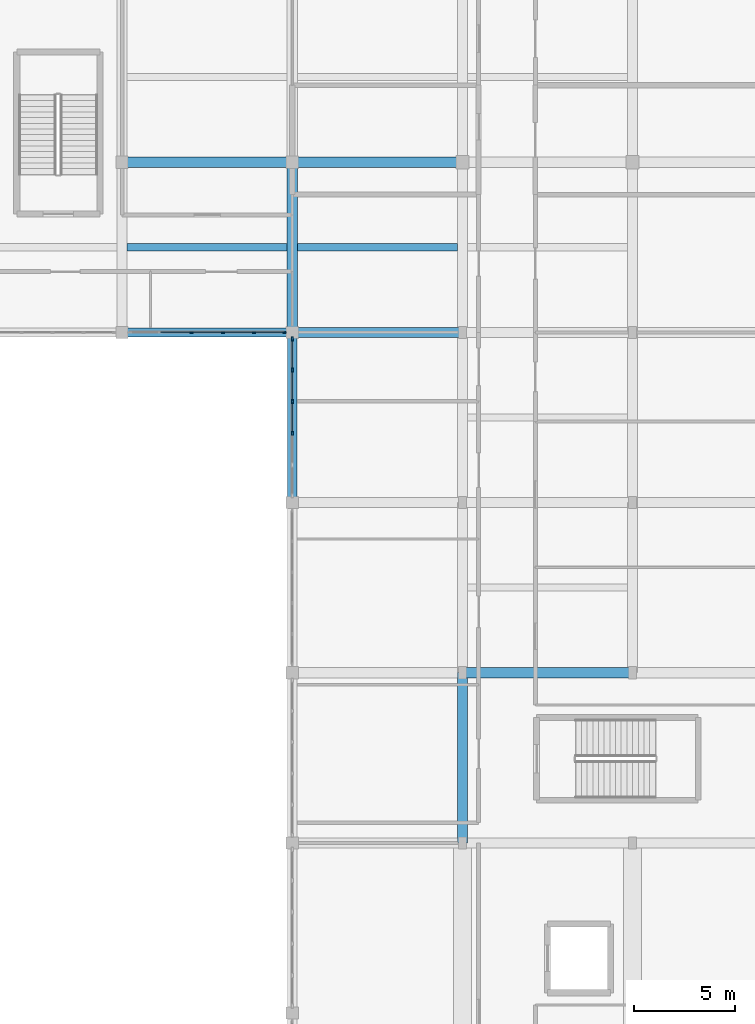
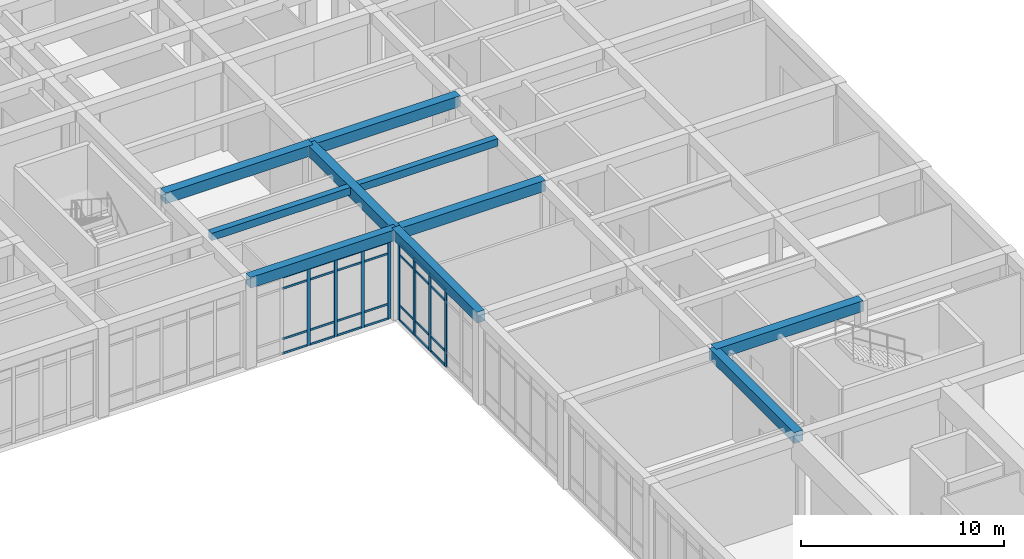
# One storey, part 37 of 89: 36 members, 10 beams, 2 elements without a shape of their own.
"""IFC4 building model written with IfcOpenShell, lengths in metres."""

import ifcopenshell
import ifcopenshell.guid

model = None  # the IFC model being written
_history = None  # IfcOwnerHistory: only IFC2X3 demands one
_inside = {}  # id of a spatial element -> (the spatial element, [elements in it])
_under = {}  # id of a project, library or spatial element -> (it, [spatial elements below it])
_declared = {}  # id of a project -> (the project, [libraries it declares])
_typed = {}  # id of a type object -> (the type object, [elements of that type])
_made_of = {}  # id of a material, layer set ... -> (it, [elements and type objects made of it])


def new_model(schema):
    """Start an empty IFC model of exactly this schema.

    Asked for "IFC4X3", IfcOpenShell would pick the latest addendum, in which some entities
    have other attributes; the version numbers below select the first issue.
    IFC2X3 requires an IfcOwnerHistory on every rooted entity: one is made here for all.
    """
    global model, _history
    if schema == "IFC4X3":
        model = ifcopenshell.file(schema_version=(4, 3, 0, 0))
    else:
        model = ifcopenshell.file(schema=schema)
    _inside.clear()
    _under.clear()
    _declared.clear()
    _typed.clear()
    _made_of.clear()
    _history = None
    if model.schema == "IFC2X3":
        org = make("IfcOrganization", Name="unknown")
        user = make(
            "IfcPersonAndOrganization",
            ThePerson=make("IfcPerson", FamilyName="unknown"),
            TheOrganization=org,
        )
        app = make(
            "IfcApplication",
            ApplicationDeveloper=org,
            Version="unknown",
            ApplicationFullName="unknown",
            ApplicationIdentifier="unknown",
        )
        _history = make(
            "IfcOwnerHistory",
            OwningUser=user,
            OwningApplication=app,
            ChangeAction="ADDED",
            CreationDate=0,
        )
    return model


def make(cls, **values):
    """One entity of the class cls with the attributes given. An attribute that is None is left unset."""
    return model.create_entity(
        cls, **{name: value for name, value in values.items() if value is not None}
    )


def rooted(cls, **values):
    """An entity with a GlobalId (a new one), such as an element, a storey or a relation."""
    return make(cls, GlobalId=ifcopenshell.guid.new(), OwnerHistory=_history, **values)


def si_unit(unit_type, name, prefix=None):
    """IfcSIUnit, for example si_unit("LENGTHUNIT", "METRE", prefix="MILLI")."""
    return make("IfcSIUnit", UnitType=unit_type, Prefix=prefix, Name=name)


def assignment(units):
    """IfcUnitAssignment: the units of a project."""
    return None if units is None else make("IfcUnitAssignment", Units=units)


def point(xyz):
    """IfcCartesianPoint."""
    return None if xyz is None else make("IfcCartesianPoint", Coordinates=xyz)


def direction(xyz):
    """IfcDirection."""
    return None if xyz is None else make("IfcDirection", DirectionRatios=xyz)


def frame(location, z_axis=None, x_axis=None):
    """IfcAxis2Placement3D, a coordinate frame: its origin and axes. An axis left out is left unset."""
    return make(
        "IfcAxis2Placement3D",
        Location=point(location),
        Axis=direction(z_axis),
        RefDirection=direction(x_axis),
    )


def frame_2d(location, x_axis=None):
    """IfcAxis2Placement2D, a coordinate frame in the plane: its origin and x axis."""
    return make(
        "IfcAxis2Placement2D", Location=point(location), RefDirection=direction(x_axis)
    )


def origin():
    """The frame at (0, 0, 0) with its axes left unset."""
    return frame((0.0, 0.0, 0.0))


def origin_2d():
    """The frame at (0, 0) in the plane with its x axis left unset."""
    return frame_2d((0.0, 0.0))


def place(relative_to, where):
    """IfcLocalPlacement: puts the frame where relative to a parent placement (None: the world)."""
    return make(
        "IfcLocalPlacement", PlacementRelTo=relative_to, RelativePlacement=where
    )


def context(
    kind, dimensions, precision=None, world=None, true_north=None, identifier=None
):
    """IfcGeometricRepresentationContext, for example the 3D "Model" context."""
    return make(
        "IfcGeometricRepresentationContext",
        ContextIdentifier=identifier,
        ContextType=kind,
        CoordinateSpaceDimension=dimensions,
        Precision=precision,
        WorldCoordinateSystem=world,
        TrueNorth=true_north,
    )


def subcontext(parent, identifier, kind, view, scale=None):
    """IfcGeometricRepresentationSubContext, for example "Body" below "Model"."""
    return make(
        "IfcGeometricRepresentationSubContext",
        ContextIdentifier=identifier,
        ContextType=kind,
        ParentContext=parent,
        TargetScale=scale,
        TargetView=view,
    )


def project(units=None, contexts=None):
    """IfcProject with its units and contexts."""
    return rooted(
        "IfcProject",
        Name="project",
        RepresentationContexts=contexts,
        UnitsInContext=assignment(units),
    )


def spatial(cls, under=None, at=None, **own):
    """A site, building, storey or space (cls), placed at a placement, below another one or the project."""
    s = rooted(cls, ObjectPlacement=at, **own)
    if under is not None:
        _under.setdefault(under.id(), (under, []))[1].append(s)
    return s


def profile(cls, at=None, kind="AREA", **sizes):
    """A parametric profile (cls). Its sizes go by their IFC names, for example OverallWidth=200.0."""
    return make(cls, ProfileType=kind, Position=at, **sizes)


def rectangle(**sizes):
    """IfcRectangleProfileDef."""
    return profile("IfcRectangleProfileDef", **sizes)


def extrude(swept, where, along, depth):
    """IfcExtrudedAreaSolid: the profile swept, set in the frame where, extruded along a direction by depth."""
    return make(
        "IfcExtrudedAreaSolid",
        SweptArea=swept,
        Position=where,
        ExtrudedDirection=direction(along),
        Depth=depth,
    )


def shape(context_of_items, identifier, shape_type, items):
    """IfcShapeRepresentation: the items that make up one representation, for example the "Body"."""
    return make(
        "IfcShapeRepresentation",
        ContextOfItems=context_of_items,
        RepresentationIdentifier=identifier,
        RepresentationType=shape_type,
        Items=items,
    )


def material(Name=None, Category=None):
    """IfcMaterial."""
    return make("IfcMaterial", Name=Name, Category=Category)


def material_profile(
    of_material, cross_section, Name=None, Category=None, Priority=None
):
    """IfcMaterialProfile: a cross section and its material."""
    return make(
        "IfcMaterialProfile",
        Name=Name,
        Material=of_material,
        Profile=cross_section,
        Priority=Priority,
        Category=Category,
    )


def profile_set(profiles, Name=None, composite=None):
    """IfcMaterialProfileSet."""
    return make(
        "IfcMaterialProfileSet",
        Name=Name,
        MaterialProfiles=profiles,
        CompositeProfile=composite,
    )


def made_of(thing, what):
    """Note that an element or type object is made of a material, layer set ...; save() writes the relation."""
    if what is not None:
        _made_of.setdefault(what.id(), (what, []))[1].append(thing)
    return thing


def type_object(cls, material=None, **own):
    """A type object (cls), such as IfcWallType, which elements share."""
    return made_of(rooted(cls, **own), material)


def element(
    cls,
    number,
    at=None,
    inside=None,
    cuts=None,
    type_object=None,
    material=None,
    context=None,
    identifier="Body",
    shape_type=None,
    held_by="IfcProductDefinitionShape",
    body=None,
    shapes=None,
    **own,
):
    """One element of the class cls, such as IfcWall. Its Tag is "e" and its number.

    at: its placement. inside: the storey or other place that contains it. cuts: it is an
    opening in that element (IfcRelVoidsElement). A single representation is given by context,
    identifier, shape_type and body (its items); several are given by shapes. held_by: the class
    of the entity that holds the representations. save() writes the other relations.
    """
    e = rooted(cls, Tag="e%d" % number, ObjectPlacement=at, **own)
    if body is not None:
        shapes = [shape(context, identifier, shape_type, body)]
    if shapes is not None:
        e.Representation = make(held_by, Representations=shapes)
    if inside is not None:
        _inside.setdefault(inside.id(), (inside, []))[1].append(e)
    if cuts is not None:
        rooted(
            "IfcRelVoidsElement", RelatingBuildingElement=cuts, RelatedOpeningElement=e
        )
    if type_object is not None:
        _typed.setdefault(type_object.id(), (type_object, []))[1].append(e)
    return made_of(e, material)


def aggregate(whole, parts):
    """IfcRelAggregates: a whole, such as a stair, and the parts it consists of."""
    return rooted("IfcRelAggregates", RelatingObject=whole, RelatedObjects=parts)


def save(model, path):
    """Write the relations noted so far, then the file.

    IfcRelAggregates (storeys below a building ...), IfcRelContainedInSpatialStructure (elements
    in a storey), IfcRelDefinesByType, IfcRelAssociatesMaterial and IfcRelDeclares: one each for
    every whole, place, type object, material and project.
    """
    for whole, parts in _under.values():
        aggregate(whole, parts)
    for where, things in _inside.values():
        rooted(
            "IfcRelContainedInSpatialStructure",
            RelatedElements=things,
            RelatingStructure=where,
        )
    for kind, things in _typed.values():
        rooted("IfcRelDefinesByType", RelatedObjects=things, RelatingType=kind)
    for what, things in _made_of.values():
        rooted("IfcRelAssociatesMaterial", RelatedObjects=things, RelatingMaterial=what)
    for by, libraries in _declared.values():
        rooted("IfcRelDeclares", RelatingContext=by, RelatedDefinitions=libraries)
    model.write(path)


model = new_model("IFC4")

# Units and contexts
model_context = context("Model", 3, precision=1e-05, world=origin(), true_north=direction((0.0, 1.0)))
body_context = subcontext(model_context, "Body", "Model", "MODEL_VIEW")
ifc_project = project(units=[si_unit("LENGTHUNIT", "METRE"), si_unit("AREAUNIT", "SQUARE_METRE"), si_unit("VOLUMEUNIT", "CUBIC_METRE"), si_unit("PLANEANGLEUNIT", "RADIAN"), si_unit("MASSUNIT", "GRAM", prefix="KILO")], contexts=[model_context])

# Site, building, storey
site_placement = place(None, origin())
site = spatial("IfcSite", under=ifc_project, at=site_placement, CompositionType="ELEMENT")
building_placement = place(site_placement, origin())
building = spatial("IfcBuilding", under=site, at=building_placement, Name="Varncliffe General Hospital", CompositionType="ELEMENT")
storey_placement = place(building_placement, frame((0.0, 0.0, 10.800048828125)))
storey = spatial("IfcBuildingStorey", under=building, at=storey_placement, Name="L02", CompositionType="ELEMENT", Elevation=10.800048828125)

# Beams
ifc_material_1 = material(Name="Concrete C35/45 (CSA A23.1 35 MPa)", Category="concrete")
ifc_material_profile_1 = material_profile(ifc_material_1, rectangle(XDim=0.5, YDim=0.64990234375, at=origin_2d()), Name="RC 500x650")
ifc_profile_set_1 = profile_set([ifc_material_profile_1], Name="Concrete C35/45 (CSA A23.1 35 MPa)")
beam_type_1 = type_object("IfcBeamType", Name="Beam B29 (Int RC 500x650)", PredefinedType="BEAM", material=ifc_profile_set_1)
beam_1_placement = place(storey_placement, frame((159.60009765625, 66.0, 5.074951171875), z_axis=(1.0, 0.0, 0.0), x_axis=(0.0, 1.0, 0.0)))
element("IfcBeam", 1, at=beam_1_placement, inside=storey, type_object=beam_type_1, Name="L02 Primary Beam B29-78", PredefinedType="BEAM", context=body_context, shape_type="SweptSolid", body=[
    extrude(rectangle(XDim=0.5, YDim=0.64990234375, at=origin_2d()), origin(), (0.0, 0.0, 1.0), 8.39990234375),
])
beam_2_placement = place(storey_placement, frame((151.199951171875, 82.800048828125, 5.074951171875), z_axis=(1.0, 0.0, 0.0), x_axis=(0.0, 1.0, 0.0)))
element("IfcBeam", 2, at=beam_2_placement, inside=storey, type_object=beam_type_1, Name="L02 Primary Beam B29-111", PredefinedType="BEAM", context=body_context, shape_type="SweptSolid", body=[
    extrude(rectangle(XDim=0.5, YDim=0.64990234375, at=origin_2d()), origin(), (0.0, 0.0, 1.0), 8.400146484375),
])
beam_3_placement = place(storey_placement, frame((142.800048828125, 91.199951171875, 5.074951171875), z_axis=(1.0, 0.0, 0.0), x_axis=(0.0, 1.0, 0.0)))
element("IfcBeam", 3, at=beam_3_placement, inside=storey, type_object=beam_type_1, Name="L02 Primary Beam B29-127", PredefinedType="BEAM", context=body_context, shape_type="SweptSolid", body=[
    extrude(rectangle(XDim=0.5, YDim=0.64990234375, at=origin_2d()), origin(), (0.0, 0.0, 1.0), 8.39990234375),
])
beam_4_placement = place(storey_placement, frame((151.199951171875, 91.199951171875, 5.074951171875), z_axis=(1.0, 0.0, 0.0), x_axis=(0.0, 1.0, 0.0)))
element("IfcBeam", 4, at=beam_4_placement, inside=storey, type_object=beam_type_1, Name="L02 Primary Beam B29-128", PredefinedType="BEAM", context=body_context, shape_type="SweptSolid", body=[
    extrude(rectangle(XDim=0.5, YDim=0.64990234375, at=origin_2d()), origin(), (0.0, 0.0, 1.0), 8.400146484375),
])
for number, where, z_axis, x_axis, name in (
    (5, (151.199951171875, 82.800048828125, 5.074951171875), (0.0, 1.0, 0.0), (-1.0, 0.0, 0.0), "L02 Primary Beam B29-439"),
    (6, (159.60009765625, 57.60009765625, 5.074951171875), (0.0, 1.0, 0.0), (-1.0, 0.0, 0.0), "L02 Primary Beam B29-452"),
):
    element("IfcBeam", number, at=place(storey_placement, frame(where, z_axis=z_axis, x_axis=x_axis)), inside=storey, type_object=beam_type_1, Name=name, PredefinedType="BEAM", context=body_context, shape_type="SweptSolid", body=[
        extrude(rectangle(XDim=0.5, YDim=0.64990234375, at=origin_2d()), origin(), (0.0, 0.0, 1.0), 8.39990234375),
    ])

# Curtain wall, members
ifc_material_2 = material(Name="Triple low-E argon insulated vision glazing", Category="glass")
curtain_wall_type_1 = type_object("IfcCurtainWallType", Name="Unitised Glazed Curtain Wall CW70 (7724x4640)", PredefinedType="USERDEFINED", material=ifc_material_2)
curtain_wall_1_placement = place(storey_placement, origin())
curtain_wall_1 = element("IfcCurtainWall", 7, at=curtain_wall_1_placement, inside=storey, type_object=curtain_wall_type_1, Name="L02 Glazed Curtain Wall CW70-127", ObjectType="GLAZED CURTAIN WALL", PredefinedType="USERDEFINED")
ifc_material_3 = material(Name="Dark bronze thermally broken aluminium framing", Category="aluminium")
ifc_material_profile_2 = material_profile(ifc_material_3, rectangle(XDim=0.074951171875, YDim=0.179931640625, at=origin_2d()), Name="ALU 75x180")
ifc_profile_set_2 = profile_set([ifc_material_profile_2], Name="Dark bronze thermally broken aluminium framing")
member_type_1 = type_object("IfcMemberType", Name="Curtain Wall Mullion CM44 (ALU 75x180)", PredefinedType="MULLION", material=ifc_profile_set_2)
member_1_placement = place(storey_placement, frame((150.824462890625, 82.800048828125, 0.0), z_axis=(0.0, 0.0, 1.0), x_axis=(0.0, -1.0, 0.0)))
member_1 = element("IfcMember", 8, at=member_1_placement, type_object=member_type_1, Name="CW70 mullion 1", PredefinedType="MULLION", context=body_context, shape_type="SweptSolid", body=[
    extrude(rectangle(XDim=0.074951171875, YDim=0.179931640625, at=origin_2d()), origin(), (0.0, 0.0, 1.0), 4.639892578125),
])
member_2_placement = place(storey_placement, frame((149.317138671875, 82.800048828125, 0.0), z_axis=(0.0, 0.0, 1.0), x_axis=(0.0, -1.0, 0.0)))
member_2 = element("IfcMember", 9, at=member_2_placement, type_object=member_type_1, Name="CW70 mullion 2", PredefinedType="MULLION", context=body_context, shape_type="SweptSolid", body=[
    extrude(rectangle(XDim=0.074951171875, YDim=0.179931640625, at=origin_2d()), origin(), (0.0, 0.0, 1.0), 4.639892578125),
])
member_3_placement = place(storey_placement, frame((147.7724609375, 82.800048828125, 0.0), z_axis=(0.0, 0.0, 1.0), x_axis=(0.0, -1.0, 0.0)))
member_3 = element("IfcMember", 10, at=member_3_placement, type_object=member_type_1, Name="CW70 mullion 3", PredefinedType="MULLION", context=body_context, shape_type="SweptSolid", body=[
    extrude(rectangle(XDim=0.074951171875, YDim=0.179931640625, at=origin_2d()), origin(), (0.0, 0.0, 1.0), 4.639892578125),
])
member_4_placement = place(storey_placement, frame((146.2275390625, 82.800048828125, 0.0), z_axis=(0.0, 0.0, 1.0), x_axis=(0.0, -1.0, 0.0)))
member_4 = element("IfcMember", 11, at=member_4_placement, type_object=member_type_1, Name="CW70 mullion 4", PredefinedType="MULLION", context=body_context, shape_type="SweptSolid", body=[
    extrude(rectangle(XDim=0.074951171875, YDim=0.179931640625, at=origin_2d()), origin(), (0.0, 0.0, 1.0), 4.639892578125),
])

curtain_wall_type_2 = type_object("IfcCurtainWallType", Name="Unitised Glazed Curtain Wall CW85 (7804x4640)", PredefinedType="USERDEFINED", material=ifc_material_2)
curtain_wall_2_placement = place(storey_placement, origin())
curtain_wall_2 = element("IfcCurtainWall", 12, at=curtain_wall_2_placement, inside=storey, type_object=curtain_wall_type_2, Name="L02 Glazed Curtain Wall CW85-126", ObjectType="GLAZED CURTAIN WALL", PredefinedType="USERDEFINED")
ifc_material_profile_3 = material_profile(ifc_material_3, rectangle(XDim=0.074951171875, YDim=0.219970703125, at=origin_2d()), Name="ALU 75x220")
ifc_profile_set_3 = profile_set([ifc_material_profile_3], Name="Dark bronze thermally broken aluminium framing")
member_type_2 = type_object("IfcMemberType", Name="Curtain Wall Mullion CM74 (ALU 75x220)", PredefinedType="MULLION", material=ifc_profile_set_3)
member_5_placement = place(storey_placement, frame((151.199951171875, 77.819580078125, 0.0), z_axis=(0.0, 0.0, 1.0), x_axis=(-1.0, 0.0, 0.0)))
member_5 = element("IfcMember", 13, at=member_5_placement, type_object=member_type_2, Name="CW85 mullion 3", PredefinedType="MULLION", context=body_context, shape_type="SweptSolid", body=[
    extrude(rectangle(XDim=0.074951171875, YDim=0.219970703125, at=origin_2d()), origin(), (0.0, 0.0, 1.0), 4.639892578125),
])
member_6_placement = place(storey_placement, frame((151.199951171875, 79.38037109375, 0.0), z_axis=(0.0, 0.0, 1.0), x_axis=(-1.0, 0.0, 0.0)))
member_6 = element("IfcMember", 14, at=member_6_placement, type_object=member_type_2, Name="CW85 mullion 4", PredefinedType="MULLION", context=body_context, shape_type="SweptSolid", body=[
    extrude(rectangle(XDim=0.074951171875, YDim=0.219970703125, at=origin_2d()), origin(), (0.0, 0.0, 1.0), 4.639892578125),
])
member_7_placement = place(storey_placement, frame((151.199951171875, 80.941162109375, 0.0), z_axis=(0.0, 0.0, 1.0), x_axis=(-1.0, 0.0, 0.0)))
member_7 = element("IfcMember", 15, at=member_7_placement, type_object=member_type_2, Name="CW85 mullion 5", PredefinedType="MULLION", context=body_context, shape_type="SweptSolid", body=[
    extrude(rectangle(XDim=0.074951171875, YDim=0.219970703125, at=origin_2d()), origin(), (0.0, 0.0, 1.0), 4.639892578125),
])
member_8_placement = place(storey_placement, frame((151.199951171875, 82.464599609375, 0.0), z_axis=(0.0, 0.0, 1.0), x_axis=(-1.0, 0.0, 0.0)))
member_8 = element("IfcMember", 16, at=member_8_placement, type_object=member_type_2, Name="CW85 mullion 6", PredefinedType="MULLION", context=body_context, shape_type="SweptSolid", body=[
    extrude(rectangle(XDim=0.074951171875, YDim=0.219970703125, at=origin_2d()), origin(), (0.0, 0.0, 1.0), 4.639892578125),
])

# Member
ifc_material_profile_4 = material_profile(ifc_material_3, rectangle(XDim=0.06005859375, YDim=0.1201171875, at=origin_2d()), Name="ALU 60x120")
ifc_profile_set_4 = profile_set([ifc_material_profile_4], Name="Dark bronze thermally broken aluminium framing")
member_type_3 = type_object("IfcMemberType", Name="Curtain Wall Transom CT14 (ALU 60x120)", PredefinedType="USERDEFINED", material=ifc_profile_set_4)
member_9_placement = place(storey_placement, frame((150.787109375, 82.800048828125, 0.030029296875), z_axis=(-1.0, 0.0, 0.0), x_axis=(0.0, -1.0, 0.0)))
member_9 = element("IfcMember", 17, at=member_9_placement, type_object=member_type_3, Name="CW70 transom 1.1", ObjectType="TRANSOM", PredefinedType="USERDEFINED", context=body_context, shape_type="SweptSolid", body=[
    extrude(rectangle(XDim=0.06005859375, YDim=0.1201171875, at=origin_2d()), origin(), (0.0, 0.0, 1.0), 1.432373046875),
])

member_10_placement = place(storey_placement, frame((150.787109375, 82.800048828125, 0.89990234375), z_axis=(-1.0, 0.0, 0.0), x_axis=(0.0, -1.0, 0.0)))
member_10 = element("IfcMember", 18, at=member_10_placement, type_object=member_type_3, Name="CW70 transom 1.2", ObjectType="TRANSOM", PredefinedType="USERDEFINED", context=body_context, shape_type="SweptSolid", body=[
    extrude(rectangle(XDim=0.06005859375, YDim=0.1201171875, at=origin_2d()), origin(), (0.0, 0.0, 1.0), 1.432373046875),
])

member_11_placement = place(storey_placement, frame((150.787109375, 82.800048828125, 3.93994140625), z_axis=(-1.0, 0.0, 0.0), x_axis=(0.0, -1.0, 0.0)))
member_11 = element("IfcMember", 19, at=member_11_placement, type_object=member_type_3, Name="CW70 transom 1.3", ObjectType="TRANSOM", PredefinedType="USERDEFINED", context=body_context, shape_type="SweptSolid", body=[
    extrude(rectangle(XDim=0.06005859375, YDim=0.1201171875, at=origin_2d()), origin(), (0.0, 0.0, 1.0), 1.432373046875),
])

member_12_placement = place(storey_placement, frame((150.787109375, 82.800048828125, 4.60986328125), z_axis=(-1.0, 0.0, 0.0), x_axis=(0.0, -1.0, 0.0)))
member_12 = element("IfcMember", 20, at=member_12_placement, type_object=member_type_3, Name="CW70 transom 1.4", ObjectType="TRANSOM", PredefinedType="USERDEFINED", context=body_context, shape_type="SweptSolid", body=[
    extrude(rectangle(XDim=0.06005859375, YDim=0.1201171875, at=origin_2d()), origin(), (0.0, 0.0, 1.0), 1.432373046875),
])

member_13_placement = place(storey_placement, frame((149.27978515625, 82.800048828125, 0.030029296875), z_axis=(-1.0, 0.0, 0.0), x_axis=(0.0, -1.0, 0.0)))
member_13 = element("IfcMember", 21, at=member_13_placement, type_object=member_type_3, Name="CW70 transom 2.1", ObjectType="TRANSOM", PredefinedType="USERDEFINED", context=body_context, shape_type="SweptSolid", body=[
    extrude(rectangle(XDim=0.06005859375, YDim=0.1201171875, at=origin_2d()), origin(), (0.0, 0.0, 1.0), 1.469970703125),
])

member_14_placement = place(storey_placement, frame((149.27978515625, 82.800048828125, 0.89990234375), z_axis=(-1.0, 0.0, 0.0), x_axis=(0.0, -1.0, 0.0)))
member_14 = element("IfcMember", 22, at=member_14_placement, type_object=member_type_3, Name="CW70 transom 2.2", ObjectType="TRANSOM", PredefinedType="USERDEFINED", context=body_context, shape_type="SweptSolid", body=[
    extrude(rectangle(XDim=0.06005859375, YDim=0.1201171875, at=origin_2d()), origin(), (0.0, 0.0, 1.0), 1.469970703125),
])

member_15_placement = place(storey_placement, frame((149.27978515625, 82.800048828125, 3.93994140625), z_axis=(-1.0, 0.0, 0.0), x_axis=(0.0, -1.0, 0.0)))
member_15 = element("IfcMember", 23, at=member_15_placement, type_object=member_type_3, Name="CW70 transom 2.3", ObjectType="TRANSOM", PredefinedType="USERDEFINED", context=body_context, shape_type="SweptSolid", body=[
    extrude(rectangle(XDim=0.06005859375, YDim=0.1201171875, at=origin_2d()), origin(), (0.0, 0.0, 1.0), 1.469970703125),
])

member_16_placement = place(storey_placement, frame((149.27978515625, 82.800048828125, 4.60986328125), z_axis=(-1.0, 0.0, 0.0), x_axis=(0.0, -1.0, 0.0)))
member_16 = element("IfcMember", 24, at=member_16_placement, type_object=member_type_3, Name="CW70 transom 2.4", ObjectType="TRANSOM", PredefinedType="USERDEFINED", context=body_context, shape_type="SweptSolid", body=[
    extrude(rectangle(XDim=0.06005859375, YDim=0.1201171875, at=origin_2d()), origin(), (0.0, 0.0, 1.0), 1.469970703125),
])

member_17_placement = place(storey_placement, frame((147.73486328125, 82.800048828125, 0.030029296875), z_axis=(-1.0, 0.0, 0.0), x_axis=(0.0, -1.0, 0.0)))
member_17 = element("IfcMember", 25, at=member_17_placement, type_object=member_type_3, Name="CW70 transom 3.1", ObjectType="TRANSOM", PredefinedType="USERDEFINED", context=body_context, shape_type="SweptSolid", body=[
    extrude(rectangle(XDim=0.06005859375, YDim=0.1201171875, at=origin_2d()), origin(), (0.0, 0.0, 1.0), 1.4697265625),
])

member_18_placement = place(storey_placement, frame((147.73486328125, 82.800048828125, 0.89990234375), z_axis=(-1.0, 0.0, 0.0), x_axis=(0.0, -1.0, 0.0)))
member_18 = element("IfcMember", 26, at=member_18_placement, type_object=member_type_3, Name="CW70 transom 3.2", ObjectType="TRANSOM", PredefinedType="USERDEFINED", context=body_context, shape_type="SweptSolid", body=[
    extrude(rectangle(XDim=0.06005859375, YDim=0.1201171875, at=origin_2d()), origin(), (0.0, 0.0, 1.0), 1.4697265625),
])

member_19_placement = place(storey_placement, frame((147.73486328125, 82.800048828125, 3.93994140625), z_axis=(-1.0, 0.0, 0.0), x_axis=(0.0, -1.0, 0.0)))
member_19 = element("IfcMember", 27, at=member_19_placement, type_object=member_type_3, Name="CW70 transom 3.3", ObjectType="TRANSOM", PredefinedType="USERDEFINED", context=body_context, shape_type="SweptSolid", body=[
    extrude(rectangle(XDim=0.06005859375, YDim=0.1201171875, at=origin_2d()), origin(), (0.0, 0.0, 1.0), 1.4697265625),
])

member_20_placement = place(storey_placement, frame((147.73486328125, 82.800048828125, 4.60986328125), z_axis=(-1.0, 0.0, 0.0), x_axis=(0.0, -1.0, 0.0)))
member_20 = element("IfcMember", 28, at=member_20_placement, type_object=member_type_3, Name="CW70 transom 3.4", ObjectType="TRANSOM", PredefinedType="USERDEFINED", context=body_context, shape_type="SweptSolid", body=[
    extrude(rectangle(XDim=0.06005859375, YDim=0.1201171875, at=origin_2d()), origin(), (0.0, 0.0, 1.0), 1.4697265625),
])

member_21_placement = place(storey_placement, frame((146.190185546875, 82.800048828125, 0.030029296875), z_axis=(-1.0, 0.0, 0.0), x_axis=(0.0, -1.0, 0.0)))
member_21 = element("IfcMember", 29, at=member_21_placement, type_object=member_type_3, Name="CW70 transom 4.1", ObjectType="TRANSOM", PredefinedType="USERDEFINED", context=body_context, shape_type="SweptSolid", body=[
    extrude(rectangle(XDim=0.06005859375, YDim=0.1201171875, at=origin_2d()), origin(), (0.0, 0.0, 1.0), 1.469970703125),
])

member_22_placement = place(storey_placement, frame((146.190185546875, 82.800048828125, 0.89990234375), z_axis=(-1.0, 0.0, 0.0), x_axis=(0.0, -1.0, 0.0)))
member_22 = element("IfcMember", 30, at=member_22_placement, type_object=member_type_3, Name="CW70 transom 4.2", ObjectType="TRANSOM", PredefinedType="USERDEFINED", context=body_context, shape_type="SweptSolid", body=[
    extrude(rectangle(XDim=0.06005859375, YDim=0.1201171875, at=origin_2d()), origin(), (0.0, 0.0, 1.0), 1.469970703125),
])

member_23_placement = place(storey_placement, frame((146.190185546875, 82.800048828125, 3.93994140625), z_axis=(-1.0, 0.0, 0.0), x_axis=(0.0, -1.0, 0.0)))
member_23 = element("IfcMember", 31, at=member_23_placement, type_object=member_type_3, Name="CW70 transom 4.3", ObjectType="TRANSOM", PredefinedType="USERDEFINED", context=body_context, shape_type="SweptSolid", body=[
    extrude(rectangle(XDim=0.06005859375, YDim=0.1201171875, at=origin_2d()), origin(), (0.0, 0.0, 1.0), 1.469970703125),
])

member_24_placement = place(storey_placement, frame((146.190185546875, 82.800048828125, 4.60986328125), z_axis=(-1.0, 0.0, 0.0), x_axis=(0.0, -1.0, 0.0)))
member_24 = element("IfcMember", 32, at=member_24_placement, type_object=member_type_3, Name="CW70 transom 4.4", ObjectType="TRANSOM", PredefinedType="USERDEFINED", context=body_context, shape_type="SweptSolid", body=[
    extrude(rectangle(XDim=0.06005859375, YDim=0.1201171875, at=origin_2d()), origin(), (0.0, 0.0, 1.0), 1.469970703125),
])

aggregate(curtain_wall_1, [member_1, member_2, member_3, member_4, member_9, member_10, member_11, member_12, member_13, member_14, member_15, member_16, member_17, member_18, member_19, member_20, member_21, member_22, member_23, member_24])

ifc_material_profile_5 = material_profile(ifc_material_3, rectangle(XDim=0.06494140625, YDim=0.139892578125, at=origin_2d()), Name="ALU 65x140")
ifc_profile_set_5 = profile_set([ifc_material_profile_5], Name="Dark bronze thermally broken aluminium framing")
member_type_4 = type_object("IfcMemberType", Name="Curtain Wall Transom CT69 (ALU 65x140)", PredefinedType="USERDEFINED", material=ifc_profile_set_5)
member_25_placement = place(storey_placement, frame((151.199951171875, 77.857177734375, 0.032470703125), z_axis=(0.0, 1.0, 0.0), x_axis=(-1.0, 0.0, 0.0)))
member_25 = element("IfcMember", 33, at=member_25_placement, type_object=member_type_4, Name="CW85 transom 3.1", ObjectType="TRANSOM", PredefinedType="USERDEFINED", context=body_context, shape_type="SweptSolid", body=[
    extrude(rectangle(XDim=0.06494140625, YDim=0.139892578125, at=origin_2d()), origin(), (0.0, 0.0, 1.0), 1.48583984375),
])

member_26_placement = place(storey_placement, frame((151.199951171875, 77.857177734375, 0.89990234375), z_axis=(0.0, 1.0, 0.0), x_axis=(-1.0, 0.0, 0.0)))
member_26 = element("IfcMember", 34, at=member_26_placement, type_object=member_type_4, Name="CW85 transom 3.2", ObjectType="TRANSOM", PredefinedType="USERDEFINED", context=body_context, shape_type="SweptSolid", body=[
    extrude(rectangle(XDim=0.06494140625, YDim=0.139892578125, at=origin_2d()), origin(), (0.0, 0.0, 1.0), 1.48583984375),
])

member_27_placement = place(storey_placement, frame((151.199951171875, 77.857177734375, 3.93994140625), z_axis=(0.0, 1.0, 0.0), x_axis=(-1.0, 0.0, 0.0)))
member_27 = element("IfcMember", 35, at=member_27_placement, type_object=member_type_4, Name="CW85 transom 3.3", ObjectType="TRANSOM", PredefinedType="USERDEFINED", context=body_context, shape_type="SweptSolid", body=[
    extrude(rectangle(XDim=0.06494140625, YDim=0.139892578125, at=origin_2d()), origin(), (0.0, 0.0, 1.0), 1.48583984375),
])

member_28_placement = place(storey_placement, frame((151.199951171875, 77.857177734375, 4.607421875), z_axis=(0.0, 1.0, 0.0), x_axis=(-1.0, 0.0, 0.0)))
member_28 = element("IfcMember", 36, at=member_28_placement, type_object=member_type_4, Name="CW85 transom 3.4", ObjectType="TRANSOM", PredefinedType="USERDEFINED", context=body_context, shape_type="SweptSolid", body=[
    extrude(rectangle(XDim=0.06494140625, YDim=0.139892578125, at=origin_2d()), origin(), (0.0, 0.0, 1.0), 1.48583984375),
])

member_29_placement = place(storey_placement, frame((151.199951171875, 79.41796875, 0.032470703125), z_axis=(0.0, 1.0, 0.0), x_axis=(-1.0, 0.0, 0.0)))
member_29 = element("IfcMember", 37, at=member_29_placement, type_object=member_type_4, Name="CW85 transom 4.1", ObjectType="TRANSOM", PredefinedType="USERDEFINED", context=body_context, shape_type="SweptSolid", body=[
    extrude(rectangle(XDim=0.06494140625, YDim=0.139892578125, at=origin_2d()), origin(), (0.0, 0.0, 1.0), 1.48583984375),
])

member_30_placement = place(storey_placement, frame((151.199951171875, 79.41796875, 0.89990234375), z_axis=(0.0, 1.0, 0.0), x_axis=(-1.0, 0.0, 0.0)))
member_30 = element("IfcMember", 38, at=member_30_placement, type_object=member_type_4, Name="CW85 transom 4.2", ObjectType="TRANSOM", PredefinedType="USERDEFINED", context=body_context, shape_type="SweptSolid", body=[
    extrude(rectangle(XDim=0.06494140625, YDim=0.139892578125, at=origin_2d()), origin(), (0.0, 0.0, 1.0), 1.48583984375),
])

member_31_placement = place(storey_placement, frame((151.199951171875, 79.41796875, 3.93994140625), z_axis=(0.0, 1.0, 0.0), x_axis=(-1.0, 0.0, 0.0)))
member_31 = element("IfcMember", 39, at=member_31_placement, type_object=member_type_4, Name="CW85 transom 4.3", ObjectType="TRANSOM", PredefinedType="USERDEFINED", context=body_context, shape_type="SweptSolid", body=[
    extrude(rectangle(XDim=0.06494140625, YDim=0.139892578125, at=origin_2d()), origin(), (0.0, 0.0, 1.0), 1.48583984375),
])

member_32_placement = place(storey_placement, frame((151.199951171875, 79.41796875, 4.607421875), z_axis=(0.0, 1.0, 0.0), x_axis=(-1.0, 0.0, 0.0)))
member_32 = element("IfcMember", 40, at=member_32_placement, type_object=member_type_4, Name="CW85 transom 4.4", ObjectType="TRANSOM", PredefinedType="USERDEFINED", context=body_context, shape_type="SweptSolid", body=[
    extrude(rectangle(XDim=0.06494140625, YDim=0.139892578125, at=origin_2d()), origin(), (0.0, 0.0, 1.0), 1.48583984375),
])

member_33_placement = place(storey_placement, frame((151.199951171875, 80.978759765625, 0.032470703125), z_axis=(0.0, 1.0, 0.0), x_axis=(-1.0, 0.0, 0.0)))
member_33 = element("IfcMember", 41, at=member_33_placement, type_object=member_type_4, Name="CW85 transom 5.1", ObjectType="TRANSOM", PredefinedType="USERDEFINED", context=body_context, shape_type="SweptSolid", body=[
    extrude(rectangle(XDim=0.06494140625, YDim=0.139892578125, at=origin_2d()), origin(), (0.0, 0.0, 1.0), 1.4482421875),
])

member_34_placement = place(storey_placement, frame((151.199951171875, 80.978759765625, 0.89990234375), z_axis=(0.0, 1.0, 0.0), x_axis=(-1.0, 0.0, 0.0)))
member_34 = element("IfcMember", 42, at=member_34_placement, type_object=member_type_4, Name="CW85 transom 5.2", ObjectType="TRANSOM", PredefinedType="USERDEFINED", context=body_context, shape_type="SweptSolid", body=[
    extrude(rectangle(XDim=0.06494140625, YDim=0.139892578125, at=origin_2d()), origin(), (0.0, 0.0, 1.0), 1.4482421875),
])

member_35_placement = place(storey_placement, frame((151.199951171875, 80.978759765625, 3.93994140625), z_axis=(0.0, 1.0, 0.0), x_axis=(-1.0, 0.0, 0.0)))
member_35 = element("IfcMember", 43, at=member_35_placement, type_object=member_type_4, Name="CW85 transom 5.3", ObjectType="TRANSOM", PredefinedType="USERDEFINED", context=body_context, shape_type="SweptSolid", body=[
    extrude(rectangle(XDim=0.06494140625, YDim=0.139892578125, at=origin_2d()), origin(), (0.0, 0.0, 1.0), 1.4482421875),
])

member_36_placement = place(storey_placement, frame((151.199951171875, 80.978759765625, 4.607421875), z_axis=(0.0, 1.0, 0.0), x_axis=(-1.0, 0.0, 0.0)))
member_36 = element("IfcMember", 44, at=member_36_placement, type_object=member_type_4, Name="CW85 transom 5.4", ObjectType="TRANSOM", PredefinedType="USERDEFINED", context=body_context, shape_type="SweptSolid", body=[
    extrude(rectangle(XDim=0.06494140625, YDim=0.139892578125, at=origin_2d()), origin(), (0.0, 0.0, 1.0), 1.4482421875),
])

aggregate(curtain_wall_2, [member_5, member_6, member_7, member_8, member_25, member_26, member_27, member_28, member_29, member_30, member_31, member_32, member_33, member_34, member_35, member_36])

# Beams
ifc_material_profile_6 = material_profile(ifc_material_1, rectangle(XDim=0.35009765625, YDim=0.449951171875, at=origin_2d()), Name="RC 350x450")
ifc_profile_set_6 = profile_set([ifc_material_profile_6], Name="Concrete C35/45 (CSA A23.1 35 MPa)")
beam_type_2 = type_object("IfcBeamType", Name="Joist J55 (Int RC 350x450)", PredefinedType="JOIST", material=ifc_profile_set_6)
beam_5_placement = place(storey_placement, frame((143.048095703125, 87.0, 5.175048828125), z_axis=(1.0, 0.0, 0.0), x_axis=(0.0, 1.0, 0.0)))
element("IfcBeam", 45, at=beam_5_placement, inside=storey, type_object=beam_type_2, Name="L02 Secondary Floor Rib J55-57", PredefinedType="JOIST", context=body_context, shape_type="SweptSolid", body=[
    extrude(rectangle(XDim=0.35009765625, YDim=0.449951171875, at=origin_2d()), origin(), (0.0, 0.0, 1.0), 7.90380859375),
])
beam_6_placement = place(storey_placement, frame((151.447998046875, 87.0, 5.175048828125), z_axis=(1.0, 0.0, 0.0), x_axis=(0.0, 1.0, 0.0)))
element("IfcBeam", 46, at=beam_6_placement, inside=storey, type_object=beam_type_2, Name="L02 Secondary Floor Rib J55-61", PredefinedType="JOIST", context=body_context, shape_type="SweptSolid", body=[
    extrude(rectangle(XDim=0.35009765625, YDim=0.449951171875, at=origin_2d()), origin(), (0.0, 0.0, 1.0), 7.904052734375),
])
ifc_material_profile_7 = material_profile(ifc_material_1, rectangle(XDim=0.449951171875, YDim=0.64990234375, at=origin_2d()), Name="RC 450x650")
ifc_profile_set_7 = profile_set([ifc_material_profile_7], Name="Concrete C35/45 (CSA A23.1 35 MPa)")
beam_type_3 = type_object("IfcBeamType", Name="Spandrel SP38 (Ext RC 450x650B)", PredefinedType="SPANDREL", material=ifc_profile_set_7)
beam_7_placement = place(storey_placement, frame((142.800048828125, 82.800048828125, 5.074951171875), z_axis=(1.0, 0.0, 0.0), x_axis=(0.0, 1.0, 0.0)))
element("IfcBeam", 47, at=beam_7_placement, inside=storey, type_object=beam_type_3, Name="L02 Spandrel Beam SP38-110", PredefinedType="SPANDREL", context=body_context, shape_type="SweptSolid", body=[
    extrude(rectangle(XDim=0.449951171875, YDim=0.64990234375, at=origin_2d()), origin(), (0.0, 0.0, 1.0), 8.39990234375),
])
beam_8_placement = place(storey_placement, frame((151.199951171875, 74.39990234375, 5.074951171875), z_axis=(0.0, 1.0, 0.0), x_axis=(-1.0, 0.0, 0.0)))
element("IfcBeam", 48, at=beam_8_placement, inside=storey, type_object=beam_type_3, Name="L02 Spandrel Beam SP38-438", PredefinedType="SPANDREL", context=body_context, shape_type="SweptSolid", body=[
    extrude(rectangle(XDim=0.449951171875, YDim=0.64990234375, at=origin_2d()), origin(), (0.0, 0.0, 1.0), 8.400146484375),
])

save(model, "model.ifc")
